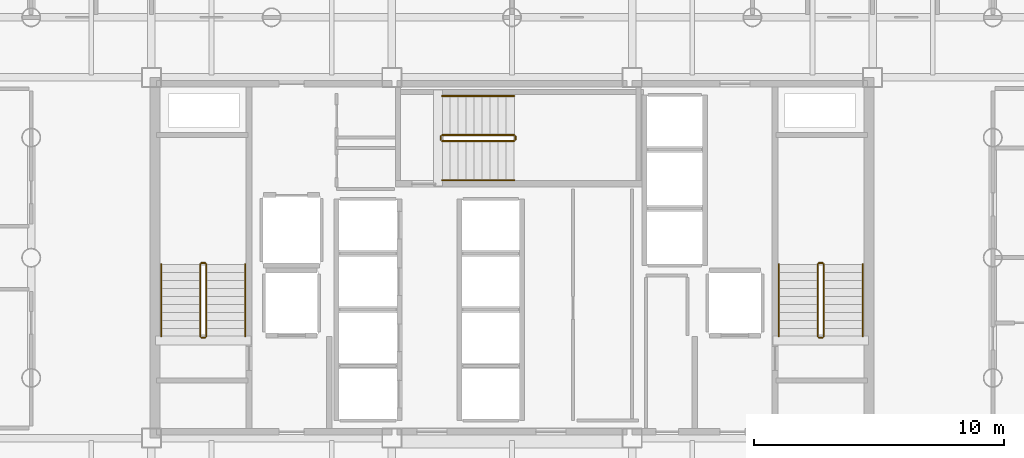
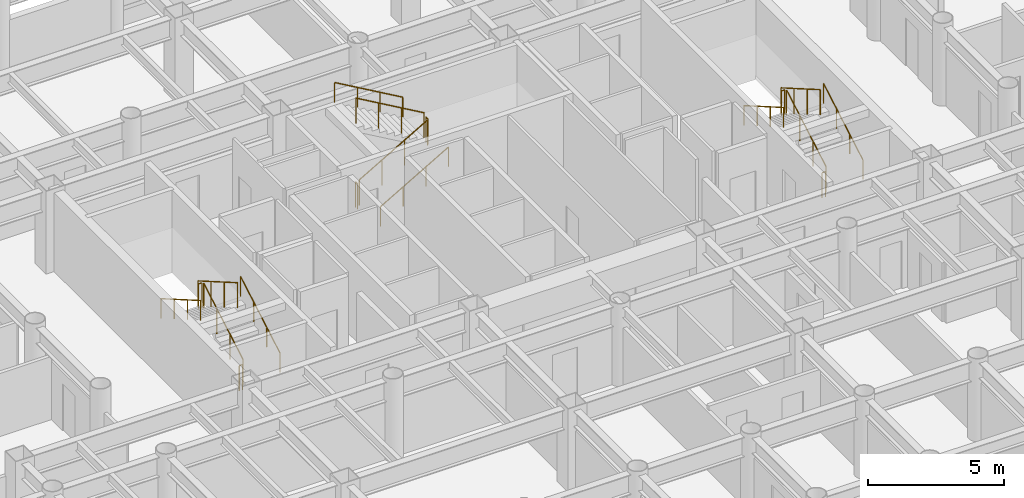
# One storey, part 21 of 21: 18 railings.
"""IFC4 building model written with IfcOpenShell, lengths in metres."""

from ifc_helpers import new_model, si_unit, direction, frame, origin, origin_2d, place, context, subcontext, project, spatial, circle, extrude, material, layer, layer_set, type_object, element, save


model = new_model("IFC4")

# Units and contexts
model_context = context("Model", 3, precision=1e-05, world=origin(), true_north=direction((0.0, 1.0)))
body_context = subcontext(model_context, "Body", "Model", "MODEL_VIEW")
ifc_project = project(units=[si_unit("LENGTHUNIT", "METRE"), si_unit("AREAUNIT", "SQUARE_METRE"), si_unit("VOLUMEUNIT", "CUBIC_METRE"), si_unit("PLANEANGLEUNIT", "RADIAN"), si_unit("MASSUNIT", "GRAM", prefix="KILO")], contexts=[model_context])

# Site, building, storey
site_placement = place(None, origin())
site = spatial("IfcSite", under=ifc_project, at=site_placement, CompositionType="ELEMENT")
building_placement = place(site_placement, origin())
building = spatial("IfcBuilding", under=site, at=building_placement, Name="Kallvorn Hotel Tower", CompositionType="ELEMENT")
storey_placement = place(building_placement, frame((0.0, 0.0, 44.800048828125)))
storey = spatial("IfcBuildingStorey", under=building, at=storey_placement, Name="L09", CompositionType="ELEMENT", Elevation=44.800048828125)

# Railings
ifc_material_1 = material(Name="Brushed stainless-steel tubular railing", Category="steel")
ifc_layer_1 = layer(ifc_material_1, 0.050048828125)
ifc_layer_set_1 = layer_set([ifc_layer_1], Name="RL_STAIR_GUARD")
railing_type_1 = type_object("IfcRailingType", Name="RL_STAIR_GUARD", PredefinedType="GUARDRAIL", material=ifc_layer_set_1)
railing_1_placement = place(storey_placement, frame((-12.2099609375, -3.139892578125, 0.18505859375)))
element("IfcRailing", 1, at=railing_1_placement, inside=storey, type_object=railing_type_1, Name="L09 ST1 stair guard 1", PredefinedType="GUARDRAIL", context=body_context, shape_type="SweptSolid", body=[
    extrude(circle(Radius=0.02392578125, at=origin_2d()), frame((0.0, 0.0, 1.1259765625), z_axis=(0.0, 0.86575271903, 0.500472006703), x_axis=(-1.0, 0.0, 0.0)), (0.0, 0.0, 1.0), 3.326416015625),
    extrude(circle(Radius=0.02099609375, at=origin_2d()), origin(), (0.0, 0.0, 1.0), 1.101806640625),
    extrude(circle(Radius=0.02099609375, at=origin_2d()), frame((0.0, 0.9599609375, 0.554931640625)), (0.0, 0.0, 1.0), 1.101806640625),
    extrude(circle(Radius=0.02099609375, at=origin_2d()), frame((0.0, 1.919921875, 1.10986328125)), (0.0, 0.0, 1.0), 1.101806640625),
    extrude(circle(Radius=0.02099609375, at=origin_2d()), frame((0.0, 2.8798828125, 1.664794921875)), (0.0, 0.0, 1.0), 1.101806640625),
])
railing_2_placement = place(storey_placement, frame((-12.260009765625, -0.2099609375, 1.849853515625)))
element("IfcRailing", 2, at=railing_2_placement, inside=storey, type_object=railing_type_1, Name="L09 ST1 stair guard 2", PredefinedType="GUARDRAIL", context=body_context, shape_type="SweptSolid", body=[
    extrude(circle(Radius=0.02392578125, at=origin_2d()), frame((0.0, 0.0, 1.1259765625), z_axis=(-1.0, 0.0, 0.0), x_axis=(0.0, -1.0, 0.0)), (0.0, 0.0, 1.0), 0.139892578125),
    extrude(circle(Radius=0.02099609375, at=origin_2d()), origin(), (0.0, 0.0, 1.0), 1.101806640625),
    extrude(circle(Radius=0.02099609375, at=origin_2d()), frame((-0.139892578125, 0.0, 0.0)), (0.0, 0.0, 1.0), 1.101806640625),
])
railing_3_placement = place(storey_placement, frame((-12.449951171875, -0.260009765625, 2.034912109375)))
element("IfcRailing", 3, at=railing_3_placement, inside=storey, type_object=railing_type_1, Name="L09 ST1 stair guard 3", PredefinedType="GUARDRAIL", context=body_context, shape_type="SweptSolid", body=[
    extrude(circle(Radius=0.02392578125, at=origin_2d()), frame((0.0, 0.0, 1.1259765625), z_axis=(0.0, -0.865720918037, 0.500527014328), x_axis=(1.0, 0.0, 0.0)), (0.0, 0.0, 1.0), 3.32666015625),
    extrude(circle(Radius=0.02099609375, at=origin_2d()), origin(), (0.0, 0.0, 1.0), 1.101806640625),
    extrude(circle(Radius=0.02099609375, at=origin_2d()), frame((0.0, -0.9599609375, 0.554931640625)), (0.0, 0.0, 1.0), 1.101806640625),
    extrude(circle(Radius=0.02099609375, at=origin_2d()), frame((0.0, -1.919921875, 1.110107421875)), (0.0, 0.0, 1.0), 1.101806640625),
    extrude(circle(Radius=0.02099609375, at=origin_2d()), frame((0.0, -2.8798828125, 1.6650390625)), (0.0, 0.0, 1.0), 1.101806640625),
])
railing_4_placement = place(storey_placement, frame((-12.260009765625, -3.18994140625, 0.0)))
element("IfcRailing", 4, at=railing_4_placement, inside=storey, type_object=railing_type_1, Name="L09 ST1 stair guard 4", PredefinedType="GUARDRAIL", context=body_context, shape_type="SweptSolid", body=[
    extrude(circle(Radius=0.02392578125, at=origin_2d()), frame((0.0, 0.0, 1.1259765625), z_axis=(-1.0, 0.0, 0.0), x_axis=(0.0, -1.0, 0.0)), (0.0, 0.0, 1.0), 0.139892578125),
    extrude(circle(Radius=0.02099609375, at=origin_2d()), origin(), (0.0, 0.0, 1.0), 1.101806640625),
    extrude(circle(Radius=0.02099609375, at=origin_2d()), frame((-0.139892578125, 0.0, 0.0)), (0.0, 0.0, 1.0), 1.101806640625),
])
railing_5_placement = place(storey_placement, frame((12.449951171875, -3.139892578125, 0.18505859375)))
element("IfcRailing", 5, at=railing_5_placement, inside=storey, type_object=railing_type_1, Name="L09 ST2 stair guard 1", PredefinedType="GUARDRAIL", context=body_context, shape_type="SweptSolid", body=[
    extrude(circle(Radius=0.02392578125, at=origin_2d()), frame((0.0, 0.0, 1.1259765625), z_axis=(0.0, 0.86575271903, 0.500472006703), x_axis=(-1.0, 0.0, 0.0)), (0.0, 0.0, 1.0), 3.326416015625),
    extrude(circle(Radius=0.02099609375, at=origin_2d()), origin(), (0.0, 0.0, 1.0), 1.101806640625),
    extrude(circle(Radius=0.02099609375, at=origin_2d()), frame((0.0, 0.9599609375, 0.554931640625)), (0.0, 0.0, 1.0), 1.101806640625),
    extrude(circle(Radius=0.02099609375, at=origin_2d()), frame((0.0, 1.919921875, 1.10986328125)), (0.0, 0.0, 1.0), 1.101806640625),
    extrude(circle(Radius=0.02099609375, at=origin_2d()), frame((0.0, 2.8798828125, 1.664794921875)), (0.0, 0.0, 1.0), 1.101806640625),
])
railing_6_placement = place(storey_placement, frame((12.39990234375, -0.2099609375, 1.849853515625)))
element("IfcRailing", 6, at=railing_6_placement, inside=storey, type_object=railing_type_1, Name="L09 ST2 stair guard 2", PredefinedType="GUARDRAIL", context=body_context, shape_type="SweptSolid", body=[
    extrude(circle(Radius=0.02392578125, at=origin_2d()), frame((0.0, 0.0, 1.1259765625), z_axis=(-1.0, 0.0, 0.0), x_axis=(0.0, -1.0, 0.0)), (0.0, 0.0, 1.0), 0.139892578125),
    extrude(circle(Radius=0.02099609375, at=origin_2d()), origin(), (0.0, 0.0, 1.0), 1.101806640625),
    extrude(circle(Radius=0.02099609375, at=origin_2d()), frame((-0.139892578125, 0.0, 0.0)), (0.0, 0.0, 1.0), 1.101806640625),
])
railing_7_placement = place(storey_placement, frame((12.2099609375, -0.260009765625, 2.034912109375)))
element("IfcRailing", 7, at=railing_7_placement, inside=storey, type_object=railing_type_1, Name="L09 ST2 stair guard 3", PredefinedType="GUARDRAIL", context=body_context, shape_type="SweptSolid", body=[
    extrude(circle(Radius=0.02392578125, at=origin_2d()), frame((0.0, 0.0, 1.1259765625), z_axis=(0.0, -0.865720918037, 0.500527014328), x_axis=(1.0, 0.0, 0.0)), (0.0, 0.0, 1.0), 3.32666015625),
    extrude(circle(Radius=0.02099609375, at=origin_2d()), origin(), (0.0, 0.0, 1.0), 1.101806640625),
    extrude(circle(Radius=0.02099609375, at=origin_2d()), frame((0.0, -0.9599609375, 0.554931640625)), (0.0, 0.0, 1.0), 1.101806640625),
    extrude(circle(Radius=0.02099609375, at=origin_2d()), frame((0.0, -1.919921875, 1.110107421875)), (0.0, 0.0, 1.0), 1.101806640625),
    extrude(circle(Radius=0.02099609375, at=origin_2d()), frame((0.0, -2.8798828125, 1.6650390625)), (0.0, 0.0, 1.0), 1.101806640625),
])
railing_8_placement = place(storey_placement, frame((12.39990234375, -3.18994140625, 0.0)))
element("IfcRailing", 8, at=railing_8_placement, inside=storey, type_object=railing_type_1, Name="L09 ST2 stair guard 4", PredefinedType="GUARDRAIL", context=body_context, shape_type="SweptSolid", body=[
    extrude(circle(Radius=0.02392578125, at=origin_2d()), frame((0.0, 0.0, 1.1259765625), z_axis=(-1.0, 0.0, 0.0), x_axis=(0.0, -1.0, 0.0)), (0.0, 0.0, 1.0), 0.139892578125),
    extrude(circle(Radius=0.02099609375, at=origin_2d()), origin(), (0.0, 0.0, 1.0), 1.101806640625),
    extrude(circle(Radius=0.02099609375, at=origin_2d()), frame((-0.139892578125, 0.0, 0.0)), (0.0, 0.0, 1.0), 1.101806640625),
])
railing_9_placement = place(storey_placement, frame((-2.7900390625, 4.659912109375, 0.18505859375)))
element("IfcRailing", 9, at=railing_9_placement, inside=storey, type_object=railing_type_1, Name="L09 ST3 stair guard 1", PredefinedType="GUARDRAIL", context=body_context, shape_type="SweptSolid", body=[
    extrude(circle(Radius=0.02392578125, at=origin_2d()), frame((0.0, 0.0, 1.1259765625), z_axis=(0.865771100375, 0.0, 0.500440207973), x_axis=(0.0, 1.0, 0.0)), (0.0, 0.0, 1.0), 3.32666015625),
    extrude(circle(Radius=0.02099609375, at=origin_2d()), origin(), (0.0, 0.0, 1.0), 1.101806640625),
    extrude(circle(Radius=0.02099609375, at=origin_2d()), frame((0.9599609375, 0.0, 0.554931640625)), (0.0, 0.0, 1.0), 1.101806640625),
    extrude(circle(Radius=0.02099609375, at=origin_2d()), frame((1.920166015625, 0.0, 1.10986328125)), (0.0, 0.0, 1.0), 1.101806640625),
    extrude(circle(Radius=0.02099609375, at=origin_2d()), frame((2.880126953125, 0.0, 1.664794921875)), (0.0, 0.0, 1.0), 1.101806640625),
])
railing_10_placement = place(storey_placement, frame((0.139892578125, 4.7099609375, 1.849853515625)))
element("IfcRailing", 10, at=railing_10_placement, inside=storey, type_object=railing_type_1, Name="L09 ST3 stair guard 2", PredefinedType="GUARDRAIL", context=body_context, shape_type="SweptSolid", body=[
    extrude(circle(Radius=0.02392578125, at=origin_2d()), frame((0.0, 0.0, 1.1259765625), z_axis=(0.0, 1.0, 0.0), x_axis=(-1.0, 0.0, 0.0)), (0.0, 0.0, 1.0), 0.14013671875),
    extrude(circle(Radius=0.02099609375, at=origin_2d()), origin(), (0.0, 0.0, 1.0), 1.101806640625),
    extrude(circle(Radius=0.02099609375, at=origin_2d()), frame((0.0, 0.14013671875, 0.0)), (0.0, 0.0, 1.0), 1.101806640625),
])
railing_11_placement = place(storey_placement, frame((0.090087890625, 4.89990234375, 2.034912109375)))
element("IfcRailing", 11, at=railing_11_placement, inside=storey, type_object=railing_type_1, Name="L09 ST3 stair guard 3", PredefinedType="GUARDRAIL", context=body_context, shape_type="SweptSolid", body=[
    extrude(circle(Radius=0.02392578125, at=origin_2d()), frame((0.0, 0.0, 1.1259765625), z_axis=(-0.865739302748, 0.0, 0.50049521444), x_axis=(0.0, -1.0, 0.0)), (0.0, 0.0, 1.0), 3.326904296875),
    extrude(circle(Radius=0.02099609375, at=origin_2d()), origin(), (0.0, 0.0, 1.0), 1.101806640625),
    extrude(circle(Radius=0.02099609375, at=origin_2d()), frame((-0.9599609375, 0.0, 0.554931640625)), (0.0, 0.0, 1.0), 1.101806640625),
    extrude(circle(Radius=0.02099609375, at=origin_2d()), frame((-1.920166015625, 0.0, 1.110107421875)), (0.0, 0.0, 1.0), 1.101806640625),
    extrude(circle(Radius=0.02099609375, at=origin_2d()), frame((-2.880126953125, 0.0, 1.6650390625)), (0.0, 0.0, 1.0), 1.101806640625),
])
railing_12_placement = place(storey_placement, frame((-2.840087890625, 4.7099609375, 0.0)))
element("IfcRailing", 12, at=railing_12_placement, inside=storey, type_object=railing_type_1, Name="L09 ST3 stair guard 4", PredefinedType="GUARDRAIL", context=body_context, shape_type="SweptSolid", body=[
    extrude(circle(Radius=0.02392578125, at=origin_2d()), frame((0.0, 0.0, 1.1259765625), z_axis=(0.0, 1.0, 0.0), x_axis=(-1.0, 0.0, 0.0)), (0.0, 0.0, 1.0), 0.14013671875),
    extrude(circle(Radius=0.02099609375, at=origin_2d()), origin(), (0.0, 0.0, 1.0), 1.101806640625),
    extrude(circle(Radius=0.02099609375, at=origin_2d()), frame((0.0, 0.14013671875, 0.0)), (0.0, 0.0, 1.0), 1.101806640625),
])
ifc_material_2 = material(Name="Brushed stainless-steel tubular railing", Category="steel")
ifc_layer_2 = layer(ifc_material_2, 0.050048828125)
ifc_layer_set_2 = layer_set([ifc_layer_2], Name="RL_STAIR_HAND")
railing_type_2 = type_object("IfcRailingType", Name="RL_STAIR_HAND", PredefinedType="HANDRAIL", material=ifc_layer_set_2)
railing_13_placement = place(storey_placement, frame((-10.64990234375, -3.139892578125, 0.18505859375)))
element("IfcRailing", 13, at=railing_13_placement, inside=storey, type_object=railing_type_2, Name="L09 ST1 stair handrail 1", PredefinedType="HANDRAIL", context=body_context, shape_type="SweptSolid", body=[
    extrude(circle(Radius=0.02392578125, at=origin_2d()), frame((0.0, 0.0, 0.8759765625), z_axis=(0.0, 0.86575271903, 0.500472006703), x_axis=(-1.0, 0.0, 0.0)), (0.0, 0.0, 1.0), 3.326416015625),
    extrude(circle(Radius=0.02099609375, at=origin_2d()), origin(), (0.0, 0.0, 1.0), 0.851806640625),
    extrude(circle(Radius=0.02099609375, at=origin_2d()), frame((0.0, 0.9599609375, 0.554931640625)), (0.0, 0.0, 1.0), 0.851806640625),
    extrude(circle(Radius=0.02099609375, at=origin_2d()), frame((0.0, 1.919921875, 1.10986328125)), (0.0, 0.0, 1.0), 0.851806640625),
    extrude(circle(Radius=0.02099609375, at=origin_2d()), frame((0.0, 2.8798828125, 1.664794921875)), (0.0, 0.0, 1.0), 0.851806640625),
])
railing_14_placement = place(storey_placement, frame((-14.010009765625, -0.260009765625, 2.034912109375)))
element("IfcRailing", 14, at=railing_14_placement, inside=storey, type_object=railing_type_2, Name="L09 ST1 stair handrail 2", PredefinedType="HANDRAIL", context=body_context, shape_type="SweptSolid", body=[
    extrude(circle(Radius=0.02392578125, at=origin_2d()), frame((0.0, 0.0, 0.8759765625), z_axis=(0.0, -0.865720918037, 0.500527014328), x_axis=(1.0, 0.0, 0.0)), (0.0, 0.0, 1.0), 3.32666015625),
    extrude(circle(Radius=0.02099609375, at=origin_2d()), origin(), (0.0, 0.0, 1.0), 0.851806640625),
    extrude(circle(Radius=0.02099609375, at=origin_2d()), frame((0.0, -0.9599609375, 0.554931640625)), (0.0, 0.0, 1.0), 0.851806640625),
    extrude(circle(Radius=0.02099609375, at=origin_2d()), frame((0.0, -1.919921875, 1.110107421875)), (0.0, 0.0, 1.0), 0.851806640625),
    extrude(circle(Radius=0.02099609375, at=origin_2d()), frame((0.0, -2.8798828125, 1.6650390625)), (0.0, 0.0, 1.0), 0.851806640625),
])
railing_15_placement = place(storey_placement, frame((14.010009765625, -3.139892578125, 0.18505859375)))
element("IfcRailing", 15, at=railing_15_placement, inside=storey, type_object=railing_type_2, Name="L09 ST2 stair handrail 1", PredefinedType="HANDRAIL", context=body_context, shape_type="SweptSolid", body=[
    extrude(circle(Radius=0.02392578125, at=origin_2d()), frame((0.0, 0.0, 0.8759765625), z_axis=(0.0, 0.86575271903, 0.500472006703), x_axis=(-1.0, 0.0, 0.0)), (0.0, 0.0, 1.0), 3.326416015625),
    extrude(circle(Radius=0.02099609375, at=origin_2d()), origin(), (0.0, 0.0, 1.0), 0.851806640625),
    extrude(circle(Radius=0.02099609375, at=origin_2d()), frame((0.0, 0.9599609375, 0.554931640625)), (0.0, 0.0, 1.0), 0.851806640625),
    extrude(circle(Radius=0.02099609375, at=origin_2d()), frame((0.0, 1.919921875, 1.10986328125)), (0.0, 0.0, 1.0), 0.851806640625),
    extrude(circle(Radius=0.02099609375, at=origin_2d()), frame((0.0, 2.8798828125, 1.664794921875)), (0.0, 0.0, 1.0), 0.851806640625),
])
railing_16_placement = place(storey_placement, frame((10.64990234375, -0.260009765625, 2.034912109375)))
element("IfcRailing", 16, at=railing_16_placement, inside=storey, type_object=railing_type_2, Name="L09 ST2 stair handrail 2", PredefinedType="HANDRAIL", context=body_context, shape_type="SweptSolid", body=[
    extrude(circle(Radius=0.02392578125, at=origin_2d()), frame((0.0, 0.0, 0.8759765625), z_axis=(0.0, -0.865720918037, 0.500527014328), x_axis=(1.0, 0.0, 0.0)), (0.0, 0.0, 1.0), 3.32666015625),
    extrude(circle(Radius=0.02099609375, at=origin_2d()), origin(), (0.0, 0.0, 1.0), 0.851806640625),
    extrude(circle(Radius=0.02099609375, at=origin_2d()), frame((0.0, -0.9599609375, 0.554931640625)), (0.0, 0.0, 1.0), 0.851806640625),
    extrude(circle(Radius=0.02099609375, at=origin_2d()), frame((0.0, -1.919921875, 1.110107421875)), (0.0, 0.0, 1.0), 0.851806640625),
    extrude(circle(Radius=0.02099609375, at=origin_2d()), frame((0.0, -2.8798828125, 1.6650390625)), (0.0, 0.0, 1.0), 0.851806640625),
])
railing_17_placement = place(storey_placement, frame((-2.7900390625, 3.10009765625, 0.18505859375)))
element("IfcRailing", 17, at=railing_17_placement, inside=storey, type_object=railing_type_2, Name="L09 ST3 stair handrail 1", PredefinedType="HANDRAIL", context=body_context, shape_type="SweptSolid", body=[
    extrude(circle(Radius=0.02392578125, at=origin_2d()), frame((0.0, 0.0, 0.8759765625), z_axis=(0.865771100375, 0.0, 0.500440207973), x_axis=(0.0, 1.0, 0.0)), (0.0, 0.0, 1.0), 3.32666015625),
    extrude(circle(Radius=0.02099609375, at=origin_2d()), origin(), (0.0, 0.0, 1.0), 0.851806640625),
    extrude(circle(Radius=0.02099609375, at=origin_2d()), frame((0.9599609375, 0.0, 0.554931640625)), (0.0, 0.0, 1.0), 0.851806640625),
    extrude(circle(Radius=0.02099609375, at=origin_2d()), frame((1.920166015625, 0.0, 1.10986328125)), (0.0, 0.0, 1.0), 0.851806640625),
    extrude(circle(Radius=0.02099609375, at=origin_2d()), frame((2.880126953125, 0.0, 1.664794921875)), (0.0, 0.0, 1.0), 0.851806640625),
])
railing_18_placement = place(storey_placement, frame((0.090087890625, 6.4599609375, 2.034912109375)))
element("IfcRailing", 18, at=railing_18_placement, inside=storey, type_object=railing_type_2, Name="L09 ST3 stair handrail 2", PredefinedType="HANDRAIL", context=body_context, shape_type="SweptSolid", body=[
    extrude(circle(Radius=0.02392578125, at=origin_2d()), frame((0.0, 0.0, 0.8759765625), z_axis=(-0.865739302748, 0.0, 0.50049521444), x_axis=(0.0, -1.0, 0.0)), (0.0, 0.0, 1.0), 3.326904296875),
    extrude(circle(Radius=0.02099609375, at=origin_2d()), origin(), (0.0, 0.0, 1.0), 0.851806640625),
    extrude(circle(Radius=0.02099609375, at=origin_2d()), frame((-0.9599609375, 0.0, 0.554931640625)), (0.0, 0.0, 1.0), 0.851806640625),
    extrude(circle(Radius=0.02099609375, at=origin_2d()), frame((-1.920166015625, 0.0, 1.110107421875)), (0.0, 0.0, 1.0), 0.851806640625),
    extrude(circle(Radius=0.02099609375, at=origin_2d()), frame((-2.880126953125, 0.0, 1.6650390625)), (0.0, 0.0, 1.0), 0.851806640625),
])

save(model, "model.ifc")
